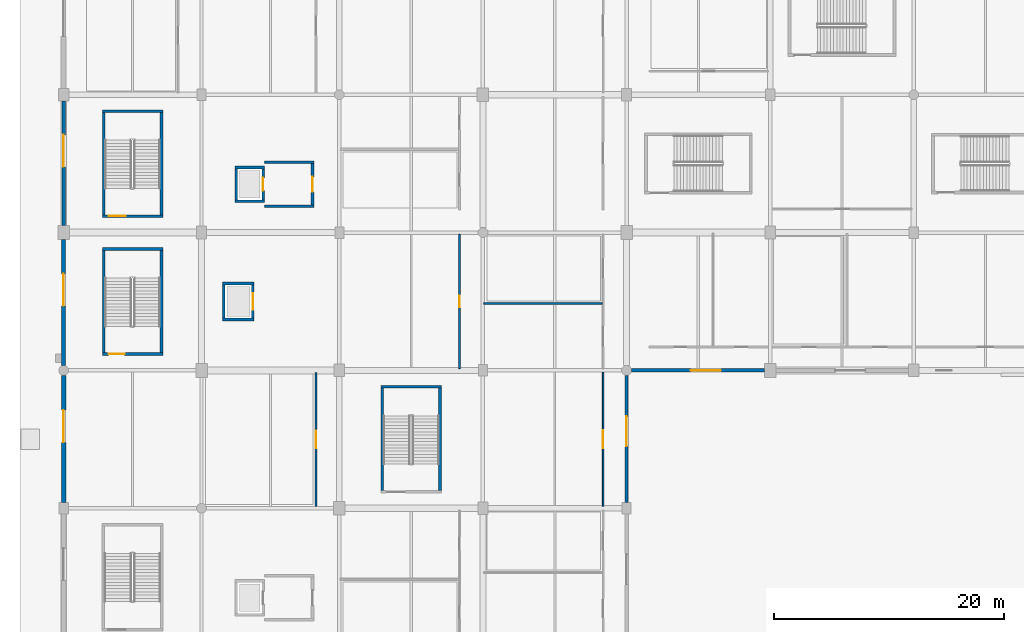
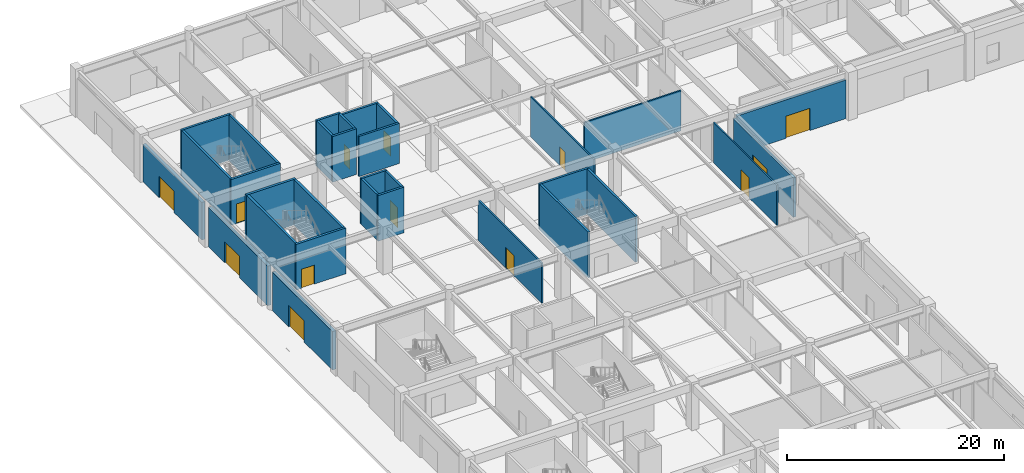
# One storey, part 28 of 69: 31 walls, 13 doors, 13 openings.
"""IFC4 building model written with IfcOpenShell, lengths in metres."""

import ifcopenshell
import ifcopenshell.guid

model = None  # the IFC model being written
_history = None  # IfcOwnerHistory: only IFC2X3 demands one
_inside = {}  # id of a spatial element -> (the spatial element, [elements in it])
_under = {}  # id of a project, library or spatial element -> (it, [spatial elements below it])
_declared = {}  # id of a project -> (the project, [libraries it declares])
_typed = {}  # id of a type object -> (the type object, [elements of that type])
_made_of = {}  # id of a material, layer set ... -> (it, [elements and type objects made of it])


def new_model(schema):
    """Start an empty IFC model of exactly this schema.

    Asked for "IFC4X3", IfcOpenShell would pick the latest addendum, in which some entities
    have other attributes; the version numbers below select the first issue.
    IFC2X3 requires an IfcOwnerHistory on every rooted entity: one is made here for all.
    """
    global model, _history
    if schema == "IFC4X3":
        model = ifcopenshell.file(schema_version=(4, 3, 0, 0))
    else:
        model = ifcopenshell.file(schema=schema)
    _inside.clear()
    _under.clear()
    _declared.clear()
    _typed.clear()
    _made_of.clear()
    _history = None
    if model.schema == "IFC2X3":
        org = make("IfcOrganization", Name="unknown")
        user = make(
            "IfcPersonAndOrganization",
            ThePerson=make("IfcPerson", FamilyName="unknown"),
            TheOrganization=org,
        )
        app = make(
            "IfcApplication",
            ApplicationDeveloper=org,
            Version="unknown",
            ApplicationFullName="unknown",
            ApplicationIdentifier="unknown",
        )
        _history = make(
            "IfcOwnerHistory",
            OwningUser=user,
            OwningApplication=app,
            ChangeAction="ADDED",
            CreationDate=0,
        )
    return model


def make(cls, **values):
    """One entity of the class cls with the attributes given. An attribute that is None is left unset."""
    return model.create_entity(
        cls, **{name: value for name, value in values.items() if value is not None}
    )


def rooted(cls, **values):
    """An entity with a GlobalId (a new one), such as an element, a storey or a relation."""
    return make(cls, GlobalId=ifcopenshell.guid.new(), OwnerHistory=_history, **values)


def si_unit(unit_type, name, prefix=None):
    """IfcSIUnit, for example si_unit("LENGTHUNIT", "METRE", prefix="MILLI")."""
    return make("IfcSIUnit", UnitType=unit_type, Prefix=prefix, Name=name)


def assignment(units):
    """IfcUnitAssignment: the units of a project."""
    return None if units is None else make("IfcUnitAssignment", Units=units)


def point(xyz):
    """IfcCartesianPoint."""
    return None if xyz is None else make("IfcCartesianPoint", Coordinates=xyz)


def direction(xyz):
    """IfcDirection."""
    return None if xyz is None else make("IfcDirection", DirectionRatios=xyz)


def frame(location, z_axis=None, x_axis=None):
    """IfcAxis2Placement3D, a coordinate frame: its origin and axes. An axis left out is left unset."""
    return make(
        "IfcAxis2Placement3D",
        Location=point(location),
        Axis=direction(z_axis),
        RefDirection=direction(x_axis),
    )


def frame_2d(location, x_axis=None):
    """IfcAxis2Placement2D, a coordinate frame in the plane: its origin and x axis."""
    return make(
        "IfcAxis2Placement2D", Location=point(location), RefDirection=direction(x_axis)
    )


def origin():
    """The frame at (0, 0, 0) with its axes left unset."""
    return frame((0.0, 0.0, 0.0))


def place(relative_to, where):
    """IfcLocalPlacement: puts the frame where relative to a parent placement (None: the world)."""
    return make(
        "IfcLocalPlacement", PlacementRelTo=relative_to, RelativePlacement=where
    )


def context(
    kind, dimensions, precision=None, world=None, true_north=None, identifier=None
):
    """IfcGeometricRepresentationContext, for example the 3D "Model" context."""
    return make(
        "IfcGeometricRepresentationContext",
        ContextIdentifier=identifier,
        ContextType=kind,
        CoordinateSpaceDimension=dimensions,
        Precision=precision,
        WorldCoordinateSystem=world,
        TrueNorth=true_north,
    )


def subcontext(parent, identifier, kind, view, scale=None):
    """IfcGeometricRepresentationSubContext, for example "Body" below "Model"."""
    return make(
        "IfcGeometricRepresentationSubContext",
        ContextIdentifier=identifier,
        ContextType=kind,
        ParentContext=parent,
        TargetScale=scale,
        TargetView=view,
    )


def project(units=None, contexts=None):
    """IfcProject with its units and contexts."""
    return rooted(
        "IfcProject",
        Name="project",
        RepresentationContexts=contexts,
        UnitsInContext=assignment(units),
    )


def spatial(cls, under=None, at=None, **own):
    """A site, building, storey or space (cls), placed at a placement, below another one or the project."""
    s = rooted(cls, ObjectPlacement=at, **own)
    if under is not None:
        _under.setdefault(under.id(), (under, []))[1].append(s)
    return s


def profile(cls, at=None, kind="AREA", **sizes):
    """A parametric profile (cls). Its sizes go by their IFC names, for example OverallWidth=200.0."""
    return make(cls, ProfileType=kind, Position=at, **sizes)


def rectangle(**sizes):
    """IfcRectangleProfileDef."""
    return profile("IfcRectangleProfileDef", **sizes)


def extrude(swept, where, along, depth):
    """IfcExtrudedAreaSolid: the profile swept, set in the frame where, extruded along a direction by depth."""
    return make(
        "IfcExtrudedAreaSolid",
        SweptArea=swept,
        Position=where,
        ExtrudedDirection=direction(along),
        Depth=depth,
    )


def shape(context_of_items, identifier, shape_type, items):
    """IfcShapeRepresentation: the items that make up one representation, for example the "Body"."""
    return make(
        "IfcShapeRepresentation",
        ContextOfItems=context_of_items,
        RepresentationIdentifier=identifier,
        RepresentationType=shape_type,
        Items=items,
    )


def material(Name=None, Category=None):
    """IfcMaterial."""
    return make("IfcMaterial", Name=Name, Category=Category)


def layer(
    of_material, thickness, ventilated=None, Name=None, Category=None, Priority=None
):
    """IfcMaterialLayer: one layer of a wall or slab, of a material (None: an air gap)."""
    return make(
        "IfcMaterialLayer",
        Material=of_material,
        LayerThickness=thickness,
        IsVentilated=ventilated,
        Name=Name,
        Category=Category,
        Priority=Priority,
    )


def layer_set(layers, Name=None):
    """IfcMaterialLayerSet."""
    return make("IfcMaterialLayerSet", MaterialLayers=layers, LayerSetName=Name)


def made_of(thing, what):
    """Note that an element or type object is made of a material, layer set ...; save() writes the relation."""
    if what is not None:
        _made_of.setdefault(what.id(), (what, []))[1].append(thing)
    return thing


def type_object(cls, material=None, **own):
    """A type object (cls), such as IfcWallType, which elements share."""
    return made_of(rooted(cls, **own), material)


def element(
    cls,
    number,
    at=None,
    inside=None,
    cuts=None,
    type_object=None,
    material=None,
    context=None,
    identifier="Body",
    shape_type=None,
    held_by="IfcProductDefinitionShape",
    body=None,
    shapes=None,
    **own,
):
    """One element of the class cls, such as IfcWall. Its Tag is "e" and its number.

    at: its placement. inside: the storey or other place that contains it. cuts: it is an
    opening in that element (IfcRelVoidsElement). A single representation is given by context,
    identifier, shape_type and body (its items); several are given by shapes. held_by: the class
    of the entity that holds the representations. save() writes the other relations.
    """
    e = rooted(cls, Tag="e%d" % number, ObjectPlacement=at, **own)
    if body is not None:
        shapes = [shape(context, identifier, shape_type, body)]
    if shapes is not None:
        e.Representation = make(held_by, Representations=shapes)
    if inside is not None:
        _inside.setdefault(inside.id(), (inside, []))[1].append(e)
    if cuts is not None:
        rooted(
            "IfcRelVoidsElement", RelatingBuildingElement=cuts, RelatedOpeningElement=e
        )
    if type_object is not None:
        _typed.setdefault(type_object.id(), (type_object, []))[1].append(e)
    return made_of(e, material)


def fill(opening, filler):
    """IfcRelFillsElement: the door or window that sits in an opening."""
    return rooted(
        "IfcRelFillsElement",
        RelatingOpeningElement=opening,
        RelatedBuildingElement=filler,
    )


def aggregate(whole, parts):
    """IfcRelAggregates: a whole, such as a stair, and the parts it consists of."""
    return rooted("IfcRelAggregates", RelatingObject=whole, RelatedObjects=parts)


def save(model, path):
    """Write the relations noted so far, then the file.

    IfcRelAggregates (storeys below a building ...), IfcRelContainedInSpatialStructure (elements
    in a storey), IfcRelDefinesByType, IfcRelAssociatesMaterial and IfcRelDeclares: one each for
    every whole, place, type object, material and project.
    """
    for whole, parts in _under.values():
        aggregate(whole, parts)
    for where, things in _inside.values():
        rooted(
            "IfcRelContainedInSpatialStructure",
            RelatedElements=things,
            RelatingStructure=where,
        )
    for kind, things in _typed.values():
        rooted("IfcRelDefinesByType", RelatedObjects=things, RelatingType=kind)
    for what, things in _made_of.values():
        rooted("IfcRelAssociatesMaterial", RelatedObjects=things, RelatingMaterial=what)
    for by, libraries in _declared.values():
        rooted("IfcRelDeclares", RelatingContext=by, RelatedDefinitions=libraries)
    model.write(path)


model = new_model("IFC4")

# Units and contexts
model_context = context("Model", 3, precision=1e-05, world=origin(), true_north=direction((0.0, 1.0)))
body_context = subcontext(model_context, "Body", "Model", "MODEL_VIEW")
ifc_project = project(units=[si_unit("LENGTHUNIT", "METRE"), si_unit("AREAUNIT", "SQUARE_METRE"), si_unit("VOLUMEUNIT", "CUBIC_METRE"), si_unit("PLANEANGLEUNIT", "RADIAN"), si_unit("MASSUNIT", "GRAM", prefix="KILO")], contexts=[model_context])

# Site, building, storey
site_placement = place(None, origin())
site = spatial("IfcSite", under=ifc_project, at=site_placement, CompositionType="ELEMENT")
building_placement = place(site_placement, origin())
building = spatial("IfcBuilding", under=site, at=building_placement, Name="Kazenohara Klinker Stadium", CompositionType="ELEMENT")
storey_placement = place(building_placement, origin())
storey = spatial("IfcBuildingStorey", under=building, at=storey_placement, Name="L00", CompositionType="ELEMENT", Elevation=0.0)

# Wall, opening, door
ifc_material_1 = material(Name="Concrete C40/50", Category="concrete")
ifc_layer_1 = layer(ifc_material_1, 0.22998046875)
ifc_layer_set_1 = layer_set([ifc_layer_1], Name="Concrete C40/50")
wall_type_1 = type_object("IfcWallType", Name="WAL-CORE-230", PredefinedType="SHEAR", material=ifc_layer_set_1)
wall_1_placement = place(storey_placement, frame((3.3701171875, 145.43505859375, 0.0), z_axis=(0.0, 0.0, 1.0), x_axis=(1.0, 0.0, 0.0)))
wall_1 = element("IfcWall", 1, at=wall_1_placement, inside=storey, type_object=wall_type_1, Name="Stairwell shear wall ST06 L00 South", PredefinedType="SHEAR", context=body_context, shape_type="SweptSolid", body=[
    extrude(rectangle(XDim=5.259765625, YDim=0.22998046875, at=frame_2d((2.6298828125, 0.0))), origin(), (0.0, 0.0, 1.0), 5.139892578125),
])
opening_1_placement = place(wall_1_placement, frame((0.550048828125, 0.0, 0.0)))
opening_1 = element("IfcOpeningElement", 2, at=opening_1_placement, cuts=wall_1, Name="Opening SD02", PredefinedType="OPENING", context=body_context, shape_type="SweptSolid", body=[
    extrude(rectangle(XDim=1.5, YDim=2.199951171875, at=frame_2d((0.75, 1.10009765625))), frame((0.0, 0.125, 0.0), z_axis=(0.0, -1.0, 0.0), x_axis=(1.0, 0.0, 0.0)), (0.0, 0.0, 1.0), 0.25),
])
ifc_material_2 = material(Name="Flush painted steel fire door leaf", Category="steel")
door_type_1 = type_object("IfcDoorType", Name="DR-STR-1500x2200", OperationType="NOTDEFINED", PredefinedType="DOOR", material=ifc_material_2)
door_1_placement = place(opening_1_placement, origin())
door_1 = element("IfcDoor", 3, at=door_1_placement, inside=storey, type_object=door_type_1, Name="Escape stairwell fire door ST06-L00", OperationType="SINGLE_SWING_LEFT", OverallHeight=2.199951171875, OverallWidth=1.5, PredefinedType="DOOR", context=body_context, shape_type="SweptSolid", body=[
    extrude(rectangle(XDim=1.5, YDim=2.199951171875, at=frame_2d((0.75, 1.10009765625))), frame((0.0, 0.02490234375, 0.0), z_axis=(0.0, -1.0, 0.0), x_axis=(1.0, 0.0, 0.0)), (0.0, 0.0, 1.0), 0.050048828125),
])
fill(opening_1, door_1)

# Walls
wall_2_placement = place(storey_placement, frame((3.3701171875, 154.56494140625, 0.0), z_axis=(0.0, 0.0, 1.0), x_axis=(1.0, 0.0, 0.0)))
element("IfcWall", 4, at=wall_2_placement, inside=storey, type_object=wall_type_1, Name="Stairwell shear wall ST06 L00 North", PredefinedType="SHEAR", context=body_context, shape_type="SweptSolid", body=[
    extrude(rectangle(XDim=5.259765625, YDim=0.22998046875, at=frame_2d((2.6298828125, 0.0))), origin(), (0.0, 0.0, 1.0), 5.139892578125),
])
for number, where, z_axis, x_axis, name in (
    (5, (3.485107421875, 145.550048828125, 0.0), (0.0, 0.0, 1.0), (0.0, 1.0, 0.0), "Stairwell shear wall ST06 L00 West"),
    (6, (8.514892578125, 145.550048828125, 0.0), (0.0, 0.0, 1.0), (0.0, 1.0, 0.0), "Stairwell shear wall ST06 L00 East"),
):
    element("IfcWall", number, at=place(storey_placement, frame(where, z_axis=z_axis, x_axis=x_axis)), inside=storey, type_object=wall_type_1, Name=name, PredefinedType="SHEAR", context=body_context, shape_type="SweptSolid", body=[
        extrude(rectangle(XDim=8.89990234375, YDim=0.22998046875, at=frame_2d((4.449951171875, 0.0))), origin(), (0.0, 0.0, 1.0), 5.139892578125),
    ])
wall_3_placement = place(storey_placement, frame((27.6201171875, 130.56494140625, 0.0), z_axis=(0.0, 0.0, 1.0), x_axis=(1.0, 0.0, 0.0)))
element("IfcWall", 7, at=wall_3_placement, inside=storey, type_object=wall_type_1, Name="Stairwell shear wall ST18 L00 North", PredefinedType="SHEAR", context=body_context, shape_type="SweptSolid", body=[
    extrude(rectangle(XDim=5.259765625, YDim=0.22998046875, at=frame_2d((2.6298828125, 0.0))), origin(), (0.0, 0.0, 1.0), 5.139892578125),
])
for number, where, z_axis, x_axis, name in (
    (8, (27.735107421875, 121.550048828125, 0.0), (0.0, 0.0, 1.0), (0.0, 1.0, 0.0), "Stairwell shear wall ST18 L00 West"),
    (9, (32.764892578125, 121.550048828125, 0.0), (0.0, 0.0, 1.0), (0.0, 1.0, 0.0), "Stairwell shear wall ST18 L00 East"),
):
    element("IfcWall", number, at=place(storey_placement, frame(where, z_axis=z_axis, x_axis=x_axis)), inside=storey, type_object=wall_type_1, Name=name, PredefinedType="SHEAR", context=body_context, shape_type="SweptSolid", body=[
        extrude(rectangle(XDim=8.89990234375, YDim=0.22998046875, at=frame_2d((4.449951171875, 0.0))), origin(), (0.0, 0.0, 1.0), 5.139892578125),
    ])
for number, where, z_axis, x_axis, name in (
    (10, (14.919921875, 146.735107421875, 0.0), (0.0, 0.0, 1.0), (1.0, 0.0, 0.0), "Elevator shaft wall LF03 L00 South"),
    (11, (14.919921875, 149.6650390625, 0.0), (0.0, 0.0, 1.0), (1.0, 0.0, 0.0), "Elevator shaft wall LF03 L00 North"),
):
    element("IfcWall", number, at=place(storey_placement, frame(where, z_axis=z_axis, x_axis=x_axis)), inside=storey, type_object=wall_type_1, Name=name, PredefinedType="SHEAR", context=body_context, shape_type="SweptSolid", body=[
        extrude(rectangle(XDim=2.56005859375, YDim=0.22998046875, at=frame_2d((1.280029296875, 0.0))), origin(), (0.0, 0.0, 1.0), 5.139892578125),
    ])
wall_4_placement = place(storey_placement, frame((15.034912109375, 146.85009765625, 0.0), z_axis=(0.0, 0.0, 1.0), x_axis=(0.0, 1.0, 0.0)))
element("IfcWall", 12, at=wall_4_placement, inside=storey, type_object=wall_type_1, Name="Elevator shaft wall LF03 L00 West", PredefinedType="SHEAR", context=body_context, shape_type="SweptSolid", body=[
    extrude(rectangle(XDim=2.699951171875, YDim=0.22998046875, at=frame_2d((1.35009765625, 0.0))), origin(), (0.0, 0.0, 1.0), 5.139892578125),
])

# Wall, opening, door
wall_5_placement = place(storey_placement, frame((17.364990234375, 146.85009765625, 0.0), z_axis=(0.0, 0.0, 1.0), x_axis=(0.0, 1.0, 0.0)))
wall_5 = element("IfcWall", 13, at=wall_5_placement, inside=storey, type_object=wall_type_1, Name="Elevator shaft wall LF03 L00 East", PredefinedType="SHEAR", context=body_context, shape_type="SweptSolid", body=[
    extrude(rectangle(XDim=2.699951171875, YDim=0.22998046875, at=frame_2d((1.35009765625, 0.0))), origin(), (0.0, 0.0, 1.0), 5.139892578125),
])
opening_2_placement = place(wall_5_placement, frame((0.800048828125, 0.0, 0.0)))
opening_2 = element("IfcOpeningElement", 14, at=opening_2_placement, cuts=wall_5, Name="Opening LD01", PredefinedType="OPENING", context=body_context, shape_type="SweptSolid", body=[
    extrude(rectangle(XDim=1.10009765625, YDim=2.14990234375, at=frame_2d((0.550048828125, 1.074951171875))), frame((0.0, 0.125, 0.0), z_axis=(0.0, -1.0, 0.0), x_axis=(1.0, 0.0, 0.0)), (0.0, 0.0, 1.0), 0.25),
])
ifc_material_3 = material(Name="Stainless steel fire-rated sliding landing door", Category="steel")
door_type_2 = type_object("IfcDoorType", Name="DR-LD01-1100x2150", OperationType="NOTDEFINED", PredefinedType="DOOR", material=ifc_material_3)
door_2_placement = place(opening_2_placement, origin())
door_2 = element("IfcDoor", 15, at=door_2_placement, inside=storey, type_object=door_type_2, Name="Elevator sliding landing door LF03-L00", OperationType="DOUBLE_DOOR_SLIDING", OverallHeight=2.14990234375, OverallWidth=1.10009765625, PredefinedType="DOOR", context=body_context, shape_type="SweptSolid", body=[
    extrude(rectangle(XDim=1.10009765625, YDim=2.14990234375, at=frame_2d((0.550048828125, 1.074951171875))), frame((0.0, 0.02490234375, 0.0), z_axis=(0.0, -1.0, 0.0), x_axis=(1.0, 0.0, 0.0)), (0.0, 0.0, 1.0), 0.050048828125),
])
fill(opening_2, door_2)

# Walls
for number, where, z_axis, x_axis, name in (
    (16, (13.820068359375, 136.43505859375, 0.0), (0.0, 0.0, 1.0), (1.0, 0.0, 0.0), "Elevator shaft wall LG01 L00 South"),
    (17, (13.820068359375, 139.56494140625, 0.0), (0.0, 0.0, 1.0), (1.0, 0.0, 0.0), "Elevator shaft wall LG01 L00 North"),
):
    element("IfcWall", number, at=place(storey_placement, frame(where, z_axis=z_axis, x_axis=x_axis)), inside=storey, type_object=wall_type_1, Name=name, PredefinedType="SHEAR", context=body_context, shape_type="SweptSolid", body=[
        extrude(rectangle(XDim=2.760009765625, YDim=0.22998046875, at=frame_2d((1.3798828125, 0.0))), origin(), (0.0, 0.0, 1.0), 5.139892578125),
    ])
wall_6_placement = place(storey_placement, frame((13.93505859375, 136.550048828125, 0.0), z_axis=(0.0, 0.0, 1.0), x_axis=(0.0, 1.0, 0.0)))
element("IfcWall", 18, at=wall_6_placement, inside=storey, type_object=wall_type_1, Name="Elevator shaft wall LG01 L00 West", PredefinedType="SHEAR", context=body_context, shape_type="SweptSolid", body=[
    extrude(rectangle(XDim=2.89990234375, YDim=0.22998046875, at=frame_2d((1.449951171875, 0.0))), origin(), (0.0, 0.0, 1.0), 5.139892578125),
])

# Wall, opening, door
wall_7_placement = place(storey_placement, frame((16.465087890625, 136.550048828125, 0.0), z_axis=(0.0, 0.0, 1.0), x_axis=(0.0, 1.0, 0.0)))
wall_7 = element("IfcWall", 19, at=wall_7_placement, inside=storey, type_object=wall_type_1, Name="Elevator shaft wall LG01 L00 East", PredefinedType="SHEAR", context=body_context, shape_type="SweptSolid", body=[
    extrude(rectangle(XDim=2.89990234375, YDim=0.22998046875, at=frame_2d((1.449951171875, 0.0))), origin(), (0.0, 0.0, 1.0), 5.139892578125),
])
opening_3_placement = place(wall_7_placement, frame((0.75, 0.0, 0.0)))
opening_3 = element("IfcOpeningElement", 20, at=opening_3_placement, cuts=wall_7, Name="Opening LD03", PredefinedType="OPENING", context=body_context, shape_type="SweptSolid", body=[
    extrude(rectangle(XDim=1.39990234375, YDim=2.25, at=frame_2d((0.699951171875, 1.125))), frame((0.0, 0.125, 0.0), z_axis=(0.0, -1.0, 0.0), x_axis=(1.0, 0.0, 0.0)), (0.0, 0.0, 1.0), 0.25),
])
ifc_material_4 = material(Name="Heavy-duty stainless steel sliding goods landing door", Category="steel")
door_type_3 = type_object("IfcDoorType", Name="DR-LD03-1400x2250", OperationType="NOTDEFINED", PredefinedType="DOOR", material=ifc_material_4)
door_3_placement = place(opening_3_placement, origin())
door_3 = element("IfcDoor", 21, at=door_3_placement, inside=storey, type_object=door_type_3, Name="Elevator sliding landing door LG01-L00", OperationType="DOUBLE_DOOR_SLIDING", OverallHeight=2.25, OverallWidth=1.39990234375, PredefinedType="DOOR", context=body_context, shape_type="SweptSolid", body=[
    extrude(rectangle(XDim=1.39990234375, YDim=2.25, at=frame_2d((0.699951171875, 1.125))), frame((0.0, 0.02490234375, 0.0), z_axis=(0.0, -1.0, 0.0), x_axis=(1.0, 0.0, 0.0)), (0.0, 0.0, 1.0), 0.050048828125),
])
fill(opening_3, door_3)

ifc_layer_2 = layer(ifc_material_1, 0.25)
ifc_layer_set_2 = layer_set([ifc_layer_2], Name="Concrete C40/50")
wall_type_2 = type_object("IfcWallType", Name="WAL-CORE-250", PredefinedType="SHEAR", material=ifc_layer_set_2)
wall_8_placement = place(storey_placement, frame((3.360107421875, 133.425048828125, 0.0), z_axis=(0.0, 0.0, 1.0), x_axis=(1.0, 0.0, 0.0)))
wall_8 = element("IfcWall", 22, at=wall_8_placement, inside=storey, type_object=wall_type_2, Name="Stairwell shear wall ST05 L00 South", PredefinedType="SHEAR", context=body_context, shape_type="SweptSolid", body=[
    extrude(rectangle(XDim=5.27978515625, YDim=0.25, at=frame_2d((2.639892578125, 0.0))), origin(), (0.0, 0.0, 1.0), 5.139892578125),
])
opening_4_placement = place(wall_8_placement, frame((0.550048828125, 0.0, 0.0)))
opening_4 = element("IfcOpeningElement", 23, at=opening_4_placement, cuts=wall_8, Name="Opening SD01", PredefinedType="OPENING", context=body_context, shape_type="SweptSolid", body=[
    extrude(rectangle(XDim=1.39990234375, YDim=2.14990234375, at=frame_2d((0.699951171875, 1.074951171875))), frame((0.0, 0.135009765625, 0.0), z_axis=(0.0, -1.0, 0.0), x_axis=(1.0, 0.0, 0.0)), (0.0, 0.0, 1.0), 0.27001953125),
])
door_type_4 = type_object("IfcDoorType", Name="DR-STR-1400x2150", OperationType="NOTDEFINED", PredefinedType="DOOR", material=ifc_material_2)
door_4_placement = place(opening_4_placement, origin())
door_4 = element("IfcDoor", 24, at=door_4_placement, inside=storey, type_object=door_type_4, Name="Escape stairwell fire door ST05-L00", OperationType="SINGLE_SWING_RIGHT", OverallHeight=2.14990234375, OverallWidth=1.39990234375, PredefinedType="DOOR", context=body_context, shape_type="SweptSolid", body=[
    extrude(rectangle(XDim=1.39990234375, YDim=2.14990234375, at=frame_2d((0.699951171875, 1.074951171875))), frame((0.0, 0.02490234375, 0.0), z_axis=(0.0, -1.0, 0.0), x_axis=(1.0, 0.0, 0.0)), (0.0, 0.0, 1.0), 0.050048828125),
])
fill(opening_4, door_4)

# Walls
wall_9_placement = place(storey_placement, frame((3.360107421875, 142.574951171875, 0.0), z_axis=(0.0, 0.0, 1.0), x_axis=(1.0, 0.0, 0.0)))
element("IfcWall", 25, at=wall_9_placement, inside=storey, type_object=wall_type_2, Name="Stairwell shear wall ST05 L00 North", PredefinedType="SHEAR", context=body_context, shape_type="SweptSolid", body=[
    extrude(rectangle(XDim=5.27978515625, YDim=0.25, at=frame_2d((2.639892578125, 0.0))), origin(), (0.0, 0.0, 1.0), 5.139892578125),
])
for number, where, z_axis, x_axis, name in (
    (26, (3.485107421875, 133.550048828125, 0.0), (0.0, 0.0, 1.0), (0.0, 1.0, 0.0), "Stairwell shear wall ST05 L00 West"),
    (27, (8.514892578125, 133.550048828125, 0.0), (0.0, 0.0, 1.0), (0.0, 1.0, 0.0), "Stairwell shear wall ST05 L00 East"),
):
    element("IfcWall", number, at=place(storey_placement, frame(where, z_axis=z_axis, x_axis=x_axis)), inside=storey, type_object=wall_type_2, Name=name, PredefinedType="SHEAR", context=body_context, shape_type="SweptSolid", body=[
        extrude(rectangle(XDim=8.89990234375, YDim=0.25, at=frame_2d((4.449951171875, 0.0))), origin(), (0.0, 0.0, 1.0), 5.139892578125),
    ])

# Wall, opening, door
ifc_material_5 = material(Name="Clinker brick masonry", Category="masonry")
ifc_layer_3 = layer(ifc_material_5, 0.280029296875)
ifc_layer_set_3 = layer_set([ifc_layer_3], Name="Clinker brick masonry")
wall_type_3 = type_object("IfcWallType", Name="WAL-EXT-CB280", PredefinedType="SOLIDWALL", material=ifc_layer_set_3)
wall_10_placement = place(storey_placement, frame((49.0, 120.50390625, 0.0), z_axis=(0.0, 0.0, 1.0), x_axis=(0.0, 1.0, 0.0)))
wall_10 = element("IfcWall", 28, at=wall_10_placement, inside=storey, type_object=wall_type_3, Name="Clinker brick cavity wall EW06 L00 Y4-10", PredefinedType="SOLIDWALL", context=body_context, shape_type="SweptSolid", body=[
    extrude(rectangle(XDim=11.067138671875, YDim=0.280029296875, at=frame_2d((5.53369140625, 0.0))), origin(), (0.0, 0.0, 1.0), 4.43994140625),
])
opening_5_placement = place(wall_10_placement, frame((7.49755859375, 0.0, 0.0), z_axis=(0.0, 0.0, 1.0), x_axis=(-1.0, 0.0, 0.0)))
opening_5 = element("IfcOpeningElement", 29, at=opening_5_placement, cuts=wall_10, Name="Opening VP08", PredefinedType="OPENING", context=body_context, shape_type="SweptSolid", body=[
    extrude(rectangle(XDim=2.60009765625, YDim=2.5, at=frame_2d((1.300048828125, 1.25))), frame((0.0, 0.14990234375, 0.0), z_axis=(0.0, -1.0, 0.0), x_axis=(1.0, 0.0, 0.0)), (0.0, 0.0, 1.0), 0.300048828125),
])
ifc_material_6 = material(Name="Anodised aluminium acoustic portal leaf", Category="aluminium")
door_type_5 = type_object("IfcDoorType", Name="DR-VOM-2600x2500", OperationType="NOTDEFINED", PredefinedType="DOOR", material=ifc_material_6)
door_5_placement = place(opening_5_placement, origin())
door_5 = element("IfcDoor", 30, at=door_5_placement, inside=storey, type_object=door_type_5, Name="Lower bowl vomitory portal door VP08", OperationType="DOUBLE_DOOR_SINGLE_SWING", OverallHeight=2.5, OverallWidth=2.60009765625, PredefinedType="DOOR", context=body_context, shape_type="SweptSolid", body=[
    extrude(rectangle(XDim=2.60009765625, YDim=2.5, at=frame_2d((1.300048828125, 1.25))), frame((0.0, 0.02490234375, 0.0), z_axis=(0.0, -1.0, 0.0), x_axis=(1.0, 0.0, 0.0)), (0.0, 0.0, 1.0), 0.050048828125),
])
fill(opening_5, door_5)

ifc_layer_4 = layer(ifc_material_5, 0.31005859375)
ifc_layer_set_4 = layer_set([ifc_layer_4], Name="Clinker brick masonry")
wall_type_4 = type_object("IfcWallType", Name="WAL-EXT-CB310", PredefinedType="SOLIDWALL", material=ifc_layer_set_4)
wall_11_placement = place(storey_placement, frame((0.0, 144.60400390625, 0.0), z_axis=(0.0, 0.0, 1.0), x_axis=(0.0, 1.0, 0.0)))
wall_11 = element("IfcWall", 31, at=wall_11_placement, inside=storey, type_object=wall_type_4, Name="Clinker brick cavity wall EW05 L00 Y0-12", PredefinedType="SOLIDWALL", context=body_context, shape_type="SweptSolid", body=[
    extrude(rectangle(XDim=10.842041015625, YDim=0.31005859375, at=frame_2d((5.4208984375, 0.0))), origin(), (0.0, 0.0, 1.0), 4.239990234375),
])
opening_6_placement = place(wall_11_placement, frame((5.105224609375, 0.0, 0.0)))
opening_6 = element("IfcOpeningElement", 32, at=opening_6_placement, cuts=wall_11, Name="Opening G09", PredefinedType="OPENING", context=body_context, shape_type="SweptSolid", body=[
    extrude(rectangle(XDim=2.800048828125, YDim=2.39990234375, at=frame_2d((1.39990234375, 1.199951171875))), frame((0.0, 0.1650390625, 0.0), z_axis=(0.0, -1.0, 0.0), x_axis=(1.0, 0.0, 0.0)), (0.0, 0.0, 1.0), 0.330078125),
])
ifc_material_7 = material(Name="Powder-coated aluminium and laminated safety glass", Category="aluminium")
door_type_6 = type_object("IfcDoorType", Name="DR-GATE-2800x2400", OperationType="NOTDEFINED", PredefinedType="DOOR", material=ifc_material_7)
door_6_placement = place(opening_6_placement, origin())
door_6 = element("IfcDoor", 33, at=door_6_placement, inside=storey, type_object=door_type_6, Name="Pedestrian exit gate G09", OperationType="DOUBLE_DOOR_SINGLE_SWING", OverallHeight=2.39990234375, OverallWidth=2.800048828125, PredefinedType="DOOR", context=body_context, shape_type="SweptSolid", body=[
    extrude(rectangle(XDim=2.800048828125, YDim=2.39990234375, at=frame_2d((1.39990234375, 1.199951171875))), frame((0.0, 0.02490234375, 0.0), z_axis=(0.0, -1.0, 0.0), x_axis=(1.0, 0.0, 0.0)), (0.0, 0.0, 1.0), 0.050048828125),
])
fill(opening_6, door_6)

wall_12_placement = place(storey_placement, frame((49.428955078125, 132.0, 0.0), z_axis=(0.0, 0.0, 1.0), x_axis=(1.0, 0.0, 0.0)))
wall_12 = element("IfcWall", 34, at=wall_12_placement, inside=storey, type_object=wall_type_4, Name="Clinker brick cavity wall EW05 L00 X4-11", PredefinedType="SOLIDWALL", context=body_context, shape_type="SweptSolid", body=[
    extrude(rectangle(XDim=11.567138671875, YDim=0.31005859375, at=frame_2d((5.78369140625, 0.0))), origin(), (0.0, 0.0, 1.0), 4.340087890625),
])
opening_7_placement = place(wall_12_placement, frame((7.777587890625, 0.0, 0.0), z_axis=(0.0, 0.0, 1.0), x_axis=(-1.0, 0.0, 0.0)))
opening_7 = element("IfcOpeningElement", 35, at=opening_7_placement, cuts=wall_12, Name="Opening VP10", PredefinedType="OPENING", context=body_context, shape_type="SweptSolid", body=[
    extrude(rectangle(XDim=2.60009765625, YDim=2.5, at=frame_2d((1.300048828125, 1.25))), frame((0.0, 0.1650390625, 0.0), z_axis=(0.0, -1.0, 0.0), x_axis=(1.0, 0.0, 0.0)), (0.0, 0.0, 1.0), 0.330078125),
])
door_7_placement = place(opening_7_placement, origin())
door_7 = element("IfcDoor", 36, at=door_7_placement, inside=storey, type_object=door_type_5, Name="Lower bowl vomitory portal door VP10", OperationType="DOUBLE_DOOR_SINGLE_SWING", OverallHeight=2.5, OverallWidth=2.60009765625, PredefinedType="DOOR", context=body_context, shape_type="SweptSolid", body=[
    extrude(rectangle(XDim=2.60009765625, YDim=2.5, at=frame_2d((1.300048828125, 1.25))), frame((0.0, 0.02490234375, 0.0), z_axis=(0.0, -1.0, 0.0), x_axis=(1.0, 0.0, 0.0)), (0.0, 0.0, 1.0), 0.050048828125),
])
fill(opening_7, door_7)

ifc_layer_5 = layer(ifc_material_5, 0.340087890625)
ifc_layer_set_5 = layer_set([ifc_layer_5], Name="Clinker brick masonry")
wall_type_5 = type_object("IfcWallType", Name="WAL-EXT-CB340", PredefinedType="SOLIDWALL", material=ifc_layer_set_5)
wall_13_placement = place(storey_placement, frame((0.0, 132.428955078125, 0.0), z_axis=(0.0, 0.0, 1.0), x_axis=(0.0, 1.0, 0.0)))
wall_13 = element("IfcWall", 37, at=wall_13_placement, inside=storey, type_object=wall_type_5, Name="Clinker brick cavity wall EW04 L00 Y0-11", PredefinedType="SOLIDWALL", context=body_context, shape_type="SweptSolid", body=[
    extrude(rectangle(XDim=10.967041015625, YDim=0.340087890625, at=frame_2d((5.4833984375, 0.0))), origin(), (0.0, 0.0, 1.0), 4.43994140625),
])
opening_8_placement = place(wall_13_placement, frame((5.18017578125, 0.0, 0.0)))
opening_8 = element("IfcOpeningElement", 38, at=opening_8_placement, cuts=wall_13, Name="Opening G08", PredefinedType="OPENING", context=body_context, shape_type="SweptSolid", body=[
    extrude(rectangle(XDim=2.800048828125, YDim=2.39990234375, at=frame_2d((1.39990234375, 1.199951171875))), frame((0.0, 0.18017578125, 0.0), z_axis=(0.0, -1.0, 0.0), x_axis=(1.0, 0.0, 0.0)), (0.0, 0.0, 1.0), 0.360107421875),
])
door_8_placement = place(opening_8_placement, origin())
door_8 = element("IfcDoor", 39, at=door_8_placement, inside=storey, type_object=door_type_6, Name="Pedestrian exit gate G08", OperationType="DOUBLE_DOOR_SINGLE_SWING", OverallHeight=2.39990234375, OverallWidth=2.800048828125, PredefinedType="DOOR", context=body_context, shape_type="SweptSolid", body=[
    extrude(rectangle(XDim=2.800048828125, YDim=2.39990234375, at=frame_2d((1.39990234375, 1.199951171875))), frame((0.0, 0.02490234375, 0.0), z_axis=(0.0, -1.0, 0.0), x_axis=(1.0, 0.0, 0.0)), (0.0, 0.0, 1.0), 0.050048828125),
])
fill(opening_8, door_8)

ifc_layer_6 = layer(ifc_material_5, 0.3701171875)
ifc_layer_set_6 = layer_set([ifc_layer_6], Name="Clinker brick masonry")
wall_type_6 = type_object("IfcWallType", Name="WAL-EXT-CB370", PredefinedType="SOLIDWALL", material=ifc_layer_set_6)
wall_14_placement = place(storey_placement, frame((0.0, 120.50390625, 0.0), z_axis=(0.0, 0.0, 1.0), x_axis=(0.0, 1.0, 0.0)))
wall_14 = element("IfcWall", 40, at=wall_14_placement, inside=storey, type_object=wall_type_6, Name="Clinker brick cavity wall EW03 L00 Y0-10", PredefinedType="SOLIDWALL", context=body_context, shape_type="SweptSolid", body=[
    extrude(rectangle(XDim=11.067138671875, YDim=0.3701171875, at=frame_2d((5.53369140625, 0.0))), origin(), (0.0, 0.0, 1.0), 4.340087890625),
])
opening_9_placement = place(wall_14_placement, frame((5.240234375, 0.0, 0.0)))
opening_9 = element("IfcOpeningElement", 41, at=opening_9_placement, cuts=wall_14, Name="Opening G07", PredefinedType="OPENING", context=body_context, shape_type="SweptSolid", body=[
    extrude(rectangle(XDim=2.800048828125, YDim=2.39990234375, at=frame_2d((1.39990234375, 1.199951171875))), frame((0.0, 0.195068359375, 0.0), z_axis=(0.0, -1.0, 0.0), x_axis=(1.0, 0.0, 0.0)), (0.0, 0.0, 1.0), 0.39013671875),
])
door_9_placement = place(opening_9_placement, origin())
door_9 = element("IfcDoor", 42, at=door_9_placement, inside=storey, type_object=door_type_6, Name="Pedestrian exit gate G07", OperationType="DOUBLE_DOOR_SINGLE_SWING", OverallHeight=2.39990234375, OverallWidth=2.800048828125, PredefinedType="DOOR", context=body_context, shape_type="SweptSolid", body=[
    extrude(rectangle(XDim=2.800048828125, YDim=2.39990234375, at=frame_2d((1.39990234375, 1.199951171875))), frame((0.0, 0.02490234375, 0.0), z_axis=(0.0, -1.0, 0.0), x_axis=(1.0, 0.0, 0.0)), (0.0, 0.0, 1.0), 0.050048828125),
])
fill(opening_9, door_9)

# Walls
ifc_layer_7 = layer(ifc_material_1, 0.219970703125)
ifc_layer_set_7 = layer_set([ifc_layer_7], Name="Concrete C40/50")
wall_type_7 = type_object("IfcWallType", Name="WAL-INT-FF220", PredefinedType="SOLIDWALL", material=ifc_layer_set_7)
for number, where, z_axis, x_axis, name in (
    (43, (17.47998046875, 146.2900390625, 0.0), (0.0, 0.0, 1.0), (1.0, 0.0, 0.0), "Firefighting lobby wall LF03 L00 South"),
    (44, (17.47998046875, 150.110107421875, 0.0), (0.0, 0.0, 1.0), (1.0, 0.0, 0.0), "Firefighting lobby wall LF03 L00 North"),
):
    element("IfcWall", number, at=place(storey_placement, frame(where, z_axis=z_axis, x_axis=x_axis)), inside=storey, type_object=wall_type_7, Name=name, PredefinedType="SOLIDWALL", context=body_context, shape_type="SweptSolid", body=[
        extrude(rectangle(XDim=4.2900390625, YDim=0.219970703125, at=frame_2d((2.14501953125, 0.0))), origin(), (0.0, 0.0, 1.0), 4.52001953125),
    ])

# Wall, opening, door
wall_15_placement = place(storey_placement, frame((21.659912109375, 146.39990234375, 0.0), z_axis=(0.0, 0.0, 1.0), x_axis=(0.0, 1.0, 0.0)))
wall_15 = element("IfcWall", 45, at=wall_15_placement, inside=storey, type_object=wall_type_7, Name="Firefighting lobby front wall LF03 L00", PredefinedType="SOLIDWALL", context=body_context, shape_type="SweptSolid", body=[
    extrude(rectangle(XDim=3.60009765625, YDim=0.219970703125, at=frame_2d((1.800048828125, 0.0))), origin(), (0.0, 0.0, 1.0), 4.52001953125),
])
opening_10_placement = place(wall_15_placement, frame((1.14990234375, 0.0, 0.0)))
opening_10 = element("IfcOpeningElement", 46, at=opening_10_placement, cuts=wall_15, Name="Opening FD01", PredefinedType="OPENING", context=body_context, shape_type="SweptSolid", body=[
    extrude(rectangle(XDim=1.300048828125, YDim=2.14990234375, at=frame_2d((0.64990234375, 1.074951171875))), frame((0.0, 0.1201171875, 0.0), z_axis=(0.0, -1.0, 0.0), x_axis=(1.0, 0.0, 0.0)), (0.0, 0.0, 1.0), 0.239990234375),
])
ifc_material_8 = material(Name="Smoke-sealed steel fire lobby door", Category="steel")
door_type_7 = type_object("IfcDoorType", Name="DR-FFL-1300x2150", OperationType="NOTDEFINED", PredefinedType="DOOR", material=ifc_material_8)
door_10_placement = place(opening_10_placement, origin())
door_10 = element("IfcDoor", 47, at=door_10_placement, inside=storey, type_object=door_type_7, Name="Firefighting lobby smoke-sealed door LF03-L00", OperationType="SINGLE_SWING_RIGHT", OverallHeight=2.14990234375, OverallWidth=1.300048828125, PredefinedType="DOOR", context=body_context, shape_type="SweptSolid", body=[
    extrude(rectangle(XDim=1.300048828125, YDim=2.14990234375, at=frame_2d((0.64990234375, 1.074951171875))), frame((0.0, 0.02490234375, 0.0), z_axis=(0.0, -1.0, 0.0), x_axis=(1.0, 0.0, 0.0)), (0.0, 0.0, 1.0), 0.050048828125),
])
fill(opening_10, door_10)

ifc_material_9 = material(Name="Fire-rated gypsum board on acoustic studs", Category="gypsum")
ifc_layer_8 = layer(ifc_material_9, 0.139892578125)
ifc_layer_set_8 = layer_set([ifc_layer_8], Name="Fire-rated gypsum board on acoustic studs")
wall_type_8 = type_object("IfcWallType", Name="WAL-INT-P140", PredefinedType="PARTITIONING", material=ifc_layer_set_8)
wall_16_placement = place(storey_placement, frame((46.9599609375, 120.159912109375, 0.0), z_axis=(0.0, 0.0, 1.0), x_axis=(0.0, 1.0, 0.0)))
wall_16 = element("IfcWall", 48, at=wall_16_placement, inside=storey, type_object=wall_type_8, Name="Interior partition wall PT03 SPC-L00-03-10-1-1", PredefinedType="PARTITIONING", context=body_context, shape_type="SweptSolid", body=[
    extrude(rectangle(XDim=11.68017578125, YDim=0.139892578125, at=frame_2d((5.840087890625, 0.0))), origin(), (0.0, 0.0, 1.0), 4.52001953125),
])
opening_11_placement = place(wall_16_placement, frame((5.06005859375, 0.0, 0.0)))
opening_11 = element("IfcOpeningElement", 49, at=opening_11_placement, cuts=wall_16, Name="Opening ID22", PredefinedType="OPENING", context=body_context, shape_type="SweptSolid", body=[
    extrude(rectangle(XDim=1.56005859375, YDim=2.260009765625, at=frame_2d((0.780029296875, 1.1298828125))), frame((0.0, 0.080078125, 0.0), z_axis=(0.0, -1.0, 0.0), x_axis=(1.0, 0.0, 0.0)), (0.0, 0.0, 1.0), 0.159912109375),
])
ifc_material_10 = material(Name="Painted steel plant fire door", Category="steel")
door_type_8 = type_object("IfcDoorType", Name="DR-INT-22", OperationType="NOTDEFINED", PredefinedType="DOOR", material=ifc_material_10)
door_11_placement = place(opening_11_placement, origin())
door_11 = element("IfcDoor", 50, at=door_11_placement, inside=storey, type_object=door_type_8, Name="Interior door ID22 Spectator First-Aid Medical Clinic L00-0310A", OperationType="SINGLE_SWING_LEFT", OverallHeight=2.260009765625, OverallWidth=1.56005859375, PredefinedType="DOOR", context=body_context, shape_type="SweptSolid", body=[
    extrude(rectangle(XDim=1.56005859375, YDim=2.260009765625, at=frame_2d((0.780029296875, 1.1298828125))), frame((0.0, 0.02490234375, 0.0), z_axis=(0.0, -1.0, 0.0), x_axis=(1.0, 0.0, 0.0)), (0.0, 0.0, 1.0), 0.050048828125),
])
fill(opening_11, door_11)

ifc_layer_9 = layer(ifc_material_9, 0.14990234375)
ifc_layer_set_9 = layer_set([ifc_layer_9], Name="Fire-rated gypsum board on acoustic studs")
wall_type_9 = type_object("IfcWallType", Name="WAL-INT-P150", PredefinedType="PARTITIONING", material=ifc_layer_set_9)
wall_17_placement = place(storey_placement, frame((34.4599609375, 132.159912109375, 0.0), z_axis=(0.0, 0.0, 1.0), x_axis=(0.0, 1.0, 0.0)))
wall_17 = element("IfcWall", 51, at=wall_17_placement, inside=storey, type_object=wall_type_9, Name="Interior partition wall PT04 SPC-L00-02-11-1-1", PredefinedType="PARTITIONING", context=body_context, shape_type="SweptSolid", body=[
    extrude(rectangle(XDim=11.68017578125, YDim=0.14990234375, at=frame_2d((5.840087890625, 0.0))), origin(), (0.0, 0.0, 1.0), 4.52001953125),
])
opening_12_placement = place(wall_17_placement, frame((5.324951171875, 0.0, 0.0)))
opening_12 = element("IfcOpeningElement", 52, at=opening_12_placement, cuts=wall_17, Name="Opening ID06", PredefinedType="OPENING", context=body_context, shape_type="SweptSolid", body=[
    extrude(rectangle(XDim=1.030029296875, YDim=2.1201171875, at=frame_2d((0.51513671875, 1.06005859375))), frame((0.0, 0.0849609375, 0.0), z_axis=(0.0, -1.0, 0.0), x_axis=(1.0, 0.0, 0.0)), (0.0, 0.0, 1.0), 0.169921875),
])
ifc_material_11 = material(Name="Solid-core Hokkaido oak fire door", Category="wood")
door_type_9 = type_object("IfcDoorType", Name="DR-INT-06", OperationType="NOTDEFINED", PredefinedType="DOOR", material=ifc_material_11)
door_12_placement = place(opening_12_placement, origin())
door_12 = element("IfcDoor", 53, at=door_12_placement, inside=storey, type_object=door_type_9, Name="Interior door ID06 Supporter Merchandising Retail Shop L00-0211A", OperationType="SINGLE_SWING_LEFT", OverallHeight=2.1201171875, OverallWidth=1.030029296875, PredefinedType="DOOR", context=body_context, shape_type="SweptSolid", body=[
    extrude(rectangle(XDim=1.030029296875, YDim=2.1201171875, at=frame_2d((0.51513671875, 1.06005859375))), frame((0.0, 0.02490234375, 0.0), z_axis=(0.0, -1.0, 0.0), x_axis=(1.0, 0.0, 0.0)), (0.0, 0.0, 1.0), 0.050048828125),
])
fill(opening_12, door_12)

ifc_layer_10 = layer(ifc_material_9, 0.169921875)
ifc_layer_set_10 = layer_set([ifc_layer_10], Name="Fire-rated gypsum board on acoustic studs")
wall_type_10 = type_object("IfcWallType", Name="WAL-INT-P170", PredefinedType="PARTITIONING", material=ifc_layer_set_10)
wall_18_placement = place(storey_placement, frame((21.9599609375, 120.159912109375, 0.0), z_axis=(0.0, 0.0, 1.0), x_axis=(0.0, 1.0, 0.0)))
wall_18 = element("IfcWall", 54, at=wall_18_placement, inside=storey, type_object=wall_type_10, Name="Interior partition wall PT05 SPC-L00-01-10-1-1", PredefinedType="PARTITIONING", context=body_context, shape_type="SweptSolid", body=[
    extrude(rectangle(XDim=11.68017578125, YDim=0.169921875, at=frame_2d((5.840087890625, 0.0))), origin(), (0.0, 0.0, 1.0), 4.52001953125),
])
opening_13_placement = place(wall_18_placement, frame((5.080078125, 0.0, 0.0)))
opening_13 = element("IfcOpeningElement", 55, at=opening_13_placement, cuts=wall_18, Name="Opening ID21", PredefinedType="OPENING", context=body_context, shape_type="SweptSolid", body=[
    extrude(rectangle(XDim=1.52001953125, YDim=2.280029296875, at=frame_2d((0.760009765625, 1.14013671875))), frame((0.0, 0.094970703125, 0.0), z_axis=(0.0, -1.0, 0.0), x_axis=(1.0, 0.0, 0.0)), (0.0, 0.0, 1.0), 0.18994140625),
])
door_type_10 = type_object("IfcDoorType", Name="DR-INT-21", OperationType="NOTDEFINED", PredefinedType="DOOR", material=ifc_material_10)
door_13_placement = place(opening_13_placement, origin())
door_13 = element("IfcDoor", 56, at=door_13_placement, inside=storey, type_object=door_type_10, Name="Interior door ID21 Spectator First-Aid Medical Clinic L00-0110A", OperationType="SINGLE_SWING_RIGHT", OverallHeight=2.280029296875, OverallWidth=1.52001953125, PredefinedType="DOOR", context=body_context, shape_type="SweptSolid", body=[
    extrude(rectangle(XDim=1.52001953125, YDim=2.280029296875, at=frame_2d((0.760009765625, 1.14013671875))), frame((0.0, 0.02490234375, 0.0), z_axis=(0.0, -1.0, 0.0), x_axis=(1.0, 0.0, 0.0)), (0.0, 0.0, 1.0), 0.050048828125),
])
fill(opening_13, door_13)

# Wall
wall_19_placement = place(storey_placement, frame((36.580078125, 137.82470703125, 0.0), z_axis=(0.0, 0.0, 1.0), x_axis=(1.0, 0.0, 0.0)))
element("IfcWall", 57, at=wall_19_placement, inside=storey, type_object=wall_type_10, Name="Interior partition wall PT05 SPC-L00-03-11-1-2", PredefinedType="PARTITIONING", context=body_context, shape_type="SweptSolid", body=[
    extrude(rectangle(XDim=10.2998046875, YDim=0.169921875, at=frame_2d((5.14990234375, 0.0))), origin(), (0.0, 0.0, 1.0), 4.52001953125),
])

save(model, "model.ifc")
